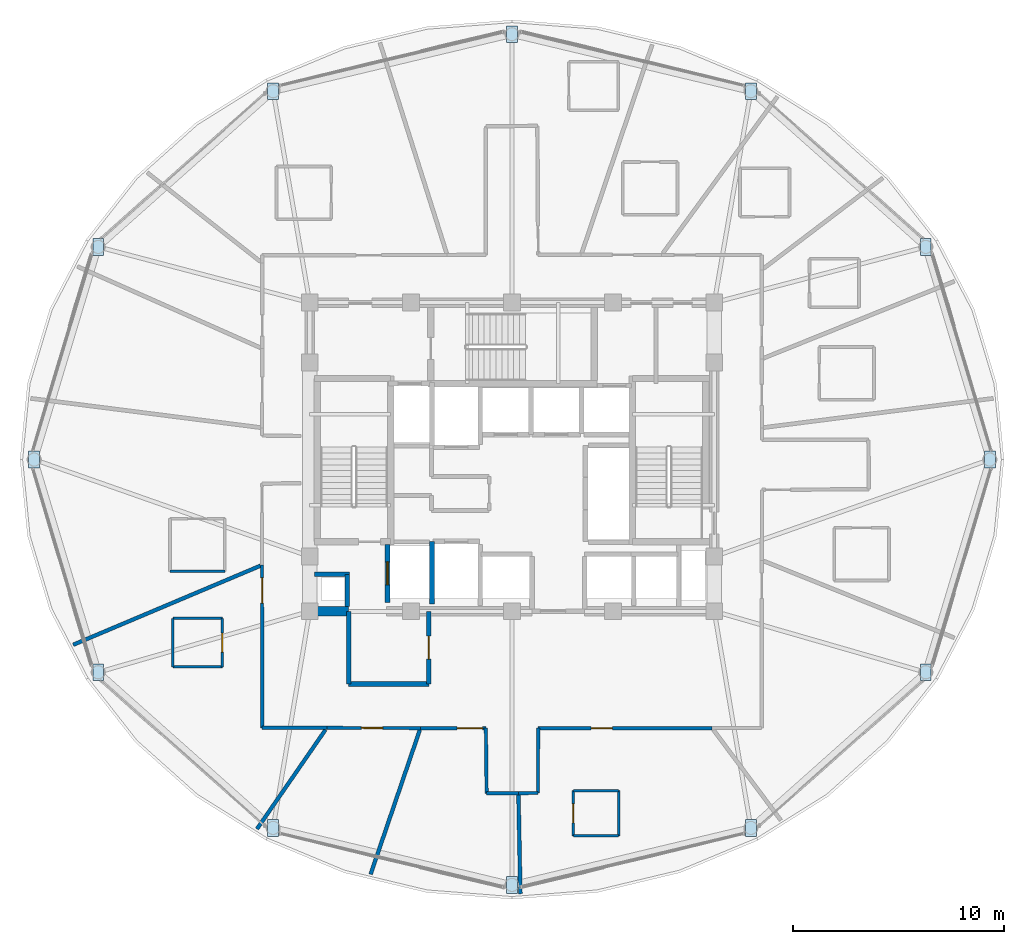
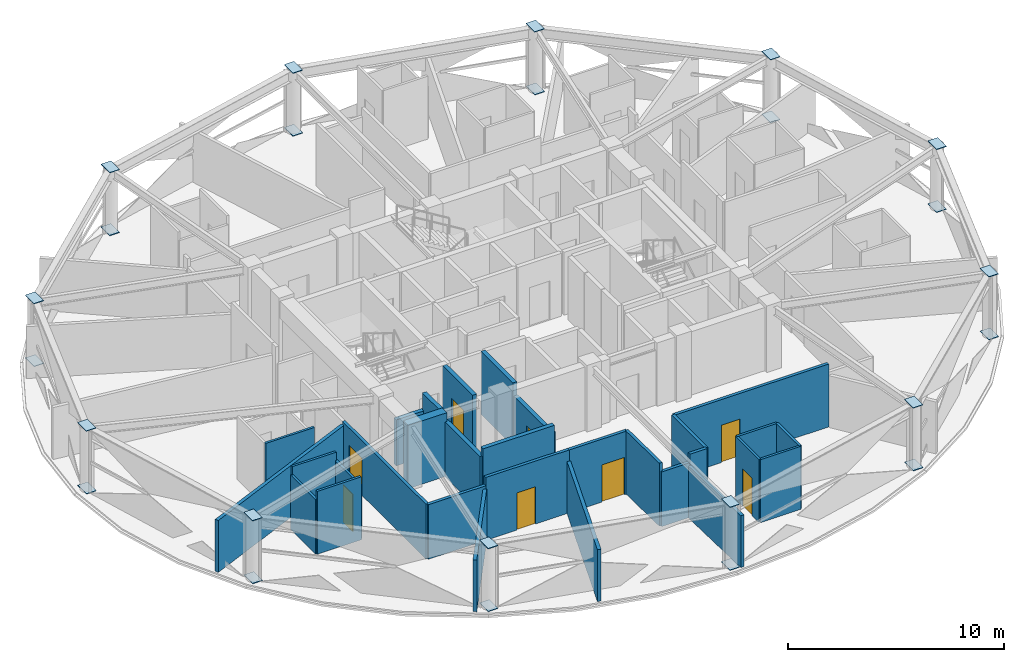
# One storey, part 22 of 30: 30 walls, 24 plates, 8 doors, 8 openings.
"""IFC4 building model written with IfcOpenShell, lengths in metres."""

from ifc_helpers import new_model, si_unit, direction, frame, frame_2d, origin, place, context, subcontext, project, spatial, polyline, rectangle, outline, extrude, material, layer, layer_set, type_object, element, fill, save


model = new_model("IFC4")

# Units and contexts
model_context = context("Model", 3, precision=1e-05, world=origin(), true_north=direction((0.0, 1.0)))
body_context = subcontext(model_context, "Body", "Model", "MODEL_VIEW")
ifc_project = project(units=[si_unit("LENGTHUNIT", "METRE"), si_unit("AREAUNIT", "SQUARE_METRE"), si_unit("VOLUMEUNIT", "CUBIC_METRE"), si_unit("PLANEANGLEUNIT", "RADIAN"), si_unit("MASSUNIT", "GRAM", prefix="KILO")], contexts=[model_context])

# Site, building, storey
site_placement = place(None, origin())
site = spatial("IfcSite", under=ifc_project, at=site_placement, CompositionType="ELEMENT")
building_placement = place(site_placement, origin())
building = spatial("IfcBuilding", under=site, at=building_placement, Name="Vantalir Tower", CompositionType="ELEMENT")
storey_placement = place(building_placement, frame((0.0, 0.0, 186.14990234375)))
storey = spatial("IfcBuildingStorey", under=building, at=storey_placement, Name="L46", CompositionType="ELEMENT", Elevation=186.14990234375)

# Plates
ifc_material_1 = material(Name="Steel S460", Category="steel")
ifc_layer_1 = layer(ifc_material_1, 0.031982421875)
ifc_layer_set_1 = layer_set([ifc_layer_1], Name="Steel S460")
plate_type = type_object("IfcPlateType", Name="PLT-KN-Z3", PredefinedType="USERDEFINED", material=ifc_layer_set_1)
for number, where, z_axis, x_axis, name in (
    (1, (53.916015625, 25.39990234375, 3.593994140625), (0.0, 0.0, 1.0), (0.0, -1.0, 0.0), "L46 Ring Column Top Cap RC01"),
    (2, (53.916015625, 25.39990234375, 0.052978515625), (0.0, 0.0, 1.0), (0.0, -1.0, 0.0), "L46 Ring Column Base Cap RC01"),
    (3, (50.8779296875, 35.493896484375, 3.593994140625), (0.0, 0.0, 1.0), (0.0, -1.0, 0.0), "L46 Ring Column Top Cap RC02"),
    (4, (50.8779296875, 35.493896484375, 0.052978515625), (0.0, 0.0, 1.0), (0.0, -1.0, 0.0), "L46 Ring Column Base Cap RC02"),
):
    element("IfcPlate", number, at=place(storey_placement, frame(where, z_axis=z_axis, x_axis=x_axis)), inside=storey, type_object=plate_type, Name=name, ObjectType="FLANGE_PLATE", PredefinedType="USERDEFINED", context=body_context, shape_type="SweptSolid", body=[
        extrude(outline(polyline([(0.0, 0.0), (0.7998046875, 0.0), (0.7998046875, 0.52001953125), (0.0, 0.52001953125), (0.0, 0.0)])), origin(), (0.0, 0.0, -1.0), 0.031982421875),
    ])
for number, where, z_axis, x_axis, name in (
    (5, (42.577880859375, 42.883056640625, 3.593994140625), (0.0, 0.0, 1.0), (0.0, -1.0, 0.0), "L46 Ring Column Top Cap RC03"),
    (6, (42.577880859375, 42.883056640625, 0.052978515625), (0.0, 0.0, 1.0), (0.0, -1.0, 0.0), "L46 Ring Column Base Cap RC03"),
):
    element("IfcPlate", number, at=place(storey_placement, frame(where, z_axis=z_axis, x_axis=x_axis)), inside=storey, type_object=plate_type, Name=name, ObjectType="FLANGE_PLATE", PredefinedType="USERDEFINED", context=body_context, shape_type="SweptSolid", body=[
        extrude(outline(polyline([(0.0, 0.0), (0.800048828125, 0.0), (0.800048828125, 0.52001953125), (0.0, 0.52001953125), (0.0, 0.0)])), origin(), (0.0, 0.0, -1.0), 0.031982421875),
    ])
for number, where, z_axis, x_axis, name in (
    (7, (31.239990234375, 45.587890625, 3.593994140625), (0.0, 0.0, 1.0), (0.0, -1.0, 0.0), "L46 Ring Column Top Cap RC04"),
    (8, (31.239990234375, 45.587890625, 0.052978515625), (0.0, 0.0, 1.0), (0.0, -1.0, 0.0), "L46 Ring Column Base Cap RC04"),
):
    element("IfcPlate", number, at=place(storey_placement, frame(where, z_axis=z_axis, x_axis=x_axis)), inside=storey, type_object=plate_type, Name=name, ObjectType="FLANGE_PLATE", PredefinedType="USERDEFINED", context=body_context, shape_type="SweptSolid", body=[
        extrude(outline(polyline([(0.0, 0.0), (0.7998046875, 0.0), (0.7998046875, 0.52001953125), (0.0, 0.52001953125), (0.0, 0.0)])), origin(), (0.0, 0.0, -1.0), 0.031982421875),
    ])
for number, where, z_axis, x_axis, name in (
    (9, (19.902099609375, 42.883056640625, 3.593994140625), (0.0, 0.0, 1.0), (0.0, -1.0, 0.0), "L46 Ring Column Top Cap RC05"),
    (10, (19.902099609375, 42.883056640625, 0.052978515625), (0.0, 0.0, 1.0), (0.0, -1.0, 0.0), "L46 Ring Column Base Cap RC05"),
):
    element("IfcPlate", number, at=place(storey_placement, frame(where, z_axis=z_axis, x_axis=x_axis)), inside=storey, type_object=plate_type, Name=name, ObjectType="FLANGE_PLATE", PredefinedType="USERDEFINED", context=body_context, shape_type="SweptSolid", body=[
        extrude(outline(polyline([(0.0, 0.0), (0.800048828125, 0.0), (0.800048828125, 0.52001953125), (0.0, 0.52001953125), (0.0, 0.0)])), origin(), (0.0, 0.0, -1.0), 0.031982421875),
    ])
for number, where, z_axis, x_axis, name in (
    (11, (11.60205078125, 35.493896484375, 3.593994140625), (0.0, 0.0, 1.0), (0.0, -1.0, 0.0), "L46 Ring Column Top Cap RC06"),
    (12, (11.60205078125, 35.493896484375, 0.052978515625), (0.0, 0.0, 1.0), (0.0, -1.0, 0.0), "L46 Ring Column Base Cap RC06"),
    (13, (8.56396484375, 25.39990234375, 3.593994140625), (0.0, 0.0, 1.0), (0.0, -1.0, 0.0), "L46 Ring Column Top Cap RC07"),
    (14, (8.56396484375, 25.39990234375, 0.052978515625), (0.0, 0.0, 1.0), (0.0, -1.0, 0.0), "L46 Ring Column Base Cap RC07"),
    (15, (11.60205078125, 15.305908203125, 3.593994140625), (0.0, 0.0, 1.0), (0.0, -1.0, 0.0), "L46 Ring Column Top Cap RC08"),
    (16, (11.60205078125, 15.305908203125, 0.052978515625), (0.0, 0.0, 1.0), (0.0, -1.0, 0.0), "L46 Ring Column Base Cap RC08"),
):
    element("IfcPlate", number, at=place(storey_placement, frame(where, z_axis=z_axis, x_axis=x_axis)), inside=storey, type_object=plate_type, Name=name, ObjectType="FLANGE_PLATE", PredefinedType="USERDEFINED", context=body_context, shape_type="SweptSolid", body=[
        extrude(outline(polyline([(0.0, 0.0), (0.7998046875, 0.0), (0.7998046875, 0.52001953125), (0.0, 0.52001953125), (0.0, 0.0)])), origin(), (0.0, 0.0, -1.0), 0.031982421875),
    ])
for number, where, z_axis, x_axis, name in (
    (17, (19.902099609375, 7.9169921875, 3.593994140625), (0.0, 0.0, 1.0), (0.0, -1.0, 0.0), "L46 Ring Column Top Cap RC09"),
    (18, (19.902099609375, 7.9169921875, 0.052978515625), (0.0, 0.0, 1.0), (0.0, -1.0, 0.0), "L46 Ring Column Base Cap RC09"),
):
    element("IfcPlate", number, at=place(storey_placement, frame(where, z_axis=z_axis, x_axis=x_axis)), inside=storey, type_object=plate_type, Name=name, ObjectType="FLANGE_PLATE", PredefinedType="USERDEFINED", context=body_context, shape_type="SweptSolid", body=[
        extrude(outline(polyline([(0.0, 0.0), (0.800048828125, 0.0), (0.800048828125, 0.52001953125), (0.0, 0.52001953125), (0.0, 0.0)])), origin(), (0.0, 0.0, -1.0), 0.031982421875),
    ])
for number, where, z_axis, x_axis, name in (
    (19, (31.239990234375, 5.2119140625, 3.593994140625), (0.0, 0.0, 1.0), (0.0, -1.0, 0.0), "L46 Ring Column Top Cap RC10"),
    (20, (31.239990234375, 5.2119140625, 0.052978515625), (0.0, 0.0, 1.0), (0.0, -1.0, 0.0), "L46 Ring Column Base Cap RC10"),
):
    element("IfcPlate", number, at=place(storey_placement, frame(where, z_axis=z_axis, x_axis=x_axis)), inside=storey, type_object=plate_type, Name=name, ObjectType="FLANGE_PLATE", PredefinedType="USERDEFINED", context=body_context, shape_type="SweptSolid", body=[
        extrude(outline(polyline([(0.0, 0.0), (0.7998046875, 0.0), (0.7998046875, 0.52001953125), (0.0, 0.52001953125), (0.0, 0.0)])), origin(), (0.0, 0.0, -1.0), 0.031982421875),
    ])
for number, where, z_axis, x_axis, name in (
    (21, (42.577880859375, 7.9169921875, 3.593994140625), (0.0, 0.0, 1.0), (0.0, -1.0, 0.0), "L46 Ring Column Top Cap RC11"),
    (22, (42.577880859375, 7.9169921875, 0.052978515625), (0.0, 0.0, 1.0), (0.0, -1.0, 0.0), "L46 Ring Column Base Cap RC11"),
):
    element("IfcPlate", number, at=place(storey_placement, frame(where, z_axis=z_axis, x_axis=x_axis)), inside=storey, type_object=plate_type, Name=name, ObjectType="FLANGE_PLATE", PredefinedType="USERDEFINED", context=body_context, shape_type="SweptSolid", body=[
        extrude(outline(polyline([(0.0, 0.0), (0.800048828125, 0.0), (0.800048828125, 0.52001953125), (0.0, 0.52001953125), (0.0, 0.0)])), origin(), (0.0, 0.0, -1.0), 0.031982421875),
    ])
for number, where, z_axis, x_axis, name in (
    (23, (50.8779296875, 15.305908203125, 3.593994140625), (0.0, 0.0, 1.0), (0.0, -1.0, 0.0), "L46 Ring Column Top Cap RC12"),
    (24, (50.8779296875, 15.305908203125, 0.052978515625), (0.0, 0.0, 1.0), (0.0, -1.0, 0.0), "L46 Ring Column Base Cap RC12"),
):
    element("IfcPlate", number, at=place(storey_placement, frame(where, z_axis=z_axis, x_axis=x_axis)), inside=storey, type_object=plate_type, Name=name, ObjectType="FLANGE_PLATE", PredefinedType="USERDEFINED", context=body_context, shape_type="SweptSolid", body=[
        extrude(outline(polyline([(0.0, 0.0), (0.7998046875, 0.0), (0.7998046875, 0.52001953125), (0.0, 0.52001953125), (0.0, 0.0)])), origin(), (0.0, 0.0, -1.0), 0.031982421875),
    ])

# Walls
ifc_material_2 = material(Name="Moisture-resistant en-suite partition", Category="gypsum")
ifc_layer_2 = layer(ifc_material_2, 0.125)
ifc_layer_set_2 = layer_set([ifc_layer_2], Name="Moisture-resistant en-suite partition")
wall_type_1 = type_object("IfcWallType", Name="WL-BATH-125", PredefinedType="PARTITIONING", material=ifc_layer_set_2)
wall_1_placement = place(storey_placement, frame((15.26806640625, 19.697021484375, 0.0), z_axis=(0.0, 0.0, 1.0), x_axis=(1.0, 0.0, 0.0)))
element("IfcWall", 25, at=wall_1_placement, inside=storey, type_object=wall_type_1, Name="L46 En-suite 09 South Wall", PredefinedType="PARTITIONING", context=body_context, shape_type="SweptSolid", body=[
    extrude(rectangle(XDim=2.599853515625, YDim=0.125, at=frame_2d((1.2998046875, 0.0))), origin(), (0.0, 0.0, 1.0), 3.550048828125),
])
for number, where, z_axis, x_axis, name in (
    (26, (15.39892578125, 15.1669921875, 0.0), (0.0, 0.0, 1.0), (1.0, 0.0, 0.0), "L46 En-suite 10 South Wall"),
    (27, (15.39892578125, 17.467041015625, 0.0), (0.0, 0.0, 1.0), (1.0, 0.0, 0.0), "L46 En-suite 10 North Wall"),
):
    element("IfcWall", number, at=place(storey_placement, frame(where, z_axis=z_axis, x_axis=x_axis)), inside=storey, type_object=wall_type_1, Name=name, PredefinedType="PARTITIONING", context=body_context, shape_type="SweptSolid", body=[
        extrude(rectangle(XDim=2.35009765625, YDim=0.125, at=frame_2d((1.175048828125, 0.0))), origin(), (0.0, 0.0, 1.0), 3.550048828125),
    ])
wall_2_placement = place(storey_placement, frame((15.39892578125, 15.1669921875, 0.0), z_axis=(0.0, 0.0, 1.0), x_axis=(0.0, 1.0, 0.0)))
element("IfcWall", 28, at=wall_2_placement, inside=storey, type_object=wall_type_1, Name="L46 En-suite 10 West Wall", PredefinedType="PARTITIONING", context=body_context, shape_type="SweptSolid", body=[
    extrude(rectangle(XDim=2.300048828125, YDim=0.125, at=frame_2d((1.14990234375, 0.0))), origin(), (0.0, 0.0, 1.0), 3.0810546875),
])

# Wall, opening, door
wall_3_placement = place(storey_placement, frame((17.7490234375, 15.1669921875, 0.0), z_axis=(0.0, 0.0, 1.0), x_axis=(0.0, 1.0, 0.0)))
wall_3 = element("IfcWall", 29, at=wall_3_placement, inside=storey, type_object=wall_type_1, Name="L46 En-suite 10 East Wall", PredefinedType="PARTITIONING", context=body_context, shape_type="SweptSolid", body=[
    extrude(rectangle(XDim=2.300048828125, YDim=0.125, at=frame_2d((1.14990234375, 0.0))), origin(), (0.0, 0.0, 1.0), 3.0810546875),
])
opening_1_placement = place(wall_3_placement, frame((0.699951171875, 0.0, 0.0)))
opening_1 = element("IfcOpeningElement", 30, at=opening_1_placement, cuts=wall_3, Name="Opening D-WC", PredefinedType="OPENING", context=body_context, shape_type="SweptSolid", body=[
    extrude(rectangle(XDim=0.89990234375, YDim=2.10009765625, at=frame_2d((0.449951171875, 1.050048828125))), frame((0.0, 0.072509765625, 0.0), z_axis=(0.0, -1.0, 0.0), x_axis=(1.0, 0.0, 0.0)), (0.0, 0.0, 1.0), 0.14501953125),
])
ifc_material_3 = material(Name="Moisture-resistant hardwood door", Category="wood")
door_type_1 = type_object("IfcDoorType", Name="DR-ENSUITE-900", OperationType="NOTDEFINED", PredefinedType="DOOR", material=ifc_material_3)
door_1_placement = place(opening_1_placement, origin())
door_1 = element("IfcDoor", 31, at=door_1_placement, inside=storey, type_object=door_type_1, Name="L46 En-suite 10 Door", OperationType="SINGLE_SWING_LEFT", OverallHeight=2.10009765625, OverallWidth=0.89990234375, PredefinedType="DOOR", context=body_context, shape_type="SweptSolid", body=[
    extrude(rectangle(XDim=0.89990234375, YDim=2.10009765625, at=frame_2d((0.449951171875, 1.050048828125))), frame((0.0, 0.02490234375, 0.0), z_axis=(0.0, -1.0, 0.0), x_axis=(1.0, 0.0, 0.0)), (0.0, 0.0, 1.0), 0.050048828125),
])
fill(opening_1, door_1)

# Walls
for number, where, z_axis, x_axis, name in (
    (32, (34.4150390625, 7.137939453125, 0.0), (0.0, 0.0, 1.0), (1.0, 0.0, 0.0), "L46 En-suite 13 South Wall"),
    (33, (34.4150390625, 9.2880859375, 0.0), (0.0, 0.0, 1.0), (1.0, 0.0, 0.0), "L46 En-suite 13 North Wall"),
):
    element("IfcWall", number, at=place(storey_placement, frame(where, z_axis=z_axis, x_axis=x_axis)), inside=storey, type_object=wall_type_1, Name=name, PredefinedType="PARTITIONING", context=body_context, shape_type="SweptSolid", body=[
        extrude(rectangle(XDim=2.14990234375, YDim=0.125, at=frame_2d((1.074951171875, 0.0))), origin(), (0.0, 0.0, 1.0), 3.550048828125),
    ])

# Wall, opening, door
wall_4_placement = place(storey_placement, frame((34.4150390625, 7.137939453125, 0.0), z_axis=(0.0, 0.0, 1.0), x_axis=(0.0, 1.0, 0.0)))
wall_4 = element("IfcWall", 34, at=wall_4_placement, inside=storey, type_object=wall_type_1, Name="L46 En-suite 13 West Wall", PredefinedType="PARTITIONING", context=body_context, shape_type="SweptSolid", body=[
    extrude(rectangle(XDim=2.150146484375, YDim=0.125, at=frame_2d((1.0751953125, 0.0))), origin(), (0.0, 0.0, 1.0), 3.550048828125),
])
opening_2_placement = place(wall_4_placement, frame((0.625, 0.0, 0.0)))
opening_2 = element("IfcOpeningElement", 35, at=opening_2_placement, cuts=wall_4, Name="Opening D-WC", PredefinedType="OPENING", context=body_context, shape_type="SweptSolid", body=[
    extrude(rectangle(XDim=0.89990234375, YDim=2.10009765625, at=frame_2d((0.449951171875, 1.050048828125))), frame((0.0, 0.072509765625, 0.0), z_axis=(0.0, -1.0, 0.0), x_axis=(1.0, 0.0, 0.0)), (0.0, 0.0, 1.0), 0.14501953125),
])
door_2_placement = place(opening_2_placement, frame((0.89990234375, 0.0, 0.0), z_axis=(0.0, 0.0, 1.0), x_axis=(-1.0, 0.0, 0.0)))
door_2 = element("IfcDoor", 36, at=door_2_placement, inside=storey, type_object=door_type_1, Name="L46 En-suite 13 Door", OperationType="SINGLE_SWING_RIGHT", OverallHeight=2.10009765625, OverallWidth=0.89990234375, PredefinedType="DOOR", context=body_context, shape_type="SweptSolid", body=[
    extrude(rectangle(XDim=0.89990234375, YDim=2.10009765625, at=frame_2d((0.449951171875, 1.050048828125))), frame((0.0, 0.02490234375, 0.0), z_axis=(0.0, -1.0, 0.0), x_axis=(1.0, 0.0, 0.0)), (0.0, 0.0, 1.0), 0.050048828125),
])
fill(opening_2, door_2)

# Walls
wall_5_placement = place(storey_placement, frame((36.56494140625, 7.137939453125, 0.0), z_axis=(0.0, 0.0, 1.0), x_axis=(0.0, 1.0, 0.0)))
element("IfcWall", 37, at=wall_5_placement, inside=storey, type_object=wall_type_1, Name="L46 En-suite 13 East Wall", PredefinedType="PARTITIONING", context=body_context, shape_type="SweptSolid", body=[
    extrude(rectangle(XDim=2.150146484375, YDim=0.125, at=frame_2d((1.0751953125, 0.0))), origin(), (0.0, 0.0, 1.0), 3.550048828125),
])
ifc_material_4 = material(Name="Concrete C50/60", Category="concrete")
ifc_layer_3 = layer(ifc_material_4, 0.449951171875)
ifc_layer_set_3 = layer_set([ifc_layer_3], Name="Concrete C50/60")
wall_type_2 = type_object("IfcWallType", Name="WL-CORE-450", PredefinedType="SHEAR", material=ifc_layer_set_3)
wall_6_placement = place(storey_placement, frame((21.675048828125, 17.800048828125, 0.0), z_axis=(0.0, 0.0, 1.0), x_axis=(1.0, 0.0, 0.0)))
element("IfcWall", 38, at=wall_6_placement, inside=storey, type_object=wall_type_2, Name="L46 Core Shear Wall South-West", PredefinedType="SHEAR", context=body_context, shape_type="SweptSolid", body=[
    extrude(rectangle(XDim=2.074951171875, YDim=0.449951171875, at=frame_2d((1.03759765625, 0.0))), origin(), (0.0, 0.0, 1.0), 3.570068359375),
])

# Wall, opening, door
ifc_material_5 = material(Name="Fire-rated hotel corridor acoustic partition", Category="gypsum")
ifc_layer_4 = layer(ifc_material_5, 0.159912109375)
ifc_layer_set_4 = layer_set([ifc_layer_4], Name="Fire-rated hotel corridor acoustic partition")
wall_type_3 = type_object("IfcWallType", Name="WL-CORR-160", PredefinedType="PARTITIONING", material=ifc_layer_set_4)
wall_7_placement = place(storey_placement, frame((40.99609375, 12.257080078125, 0.0), z_axis=(0.0, 0.0, 1.0), x_axis=(-0.999999632298, -0.000857556535, 0.0)))
wall_7 = element("IfcWall", 39, at=wall_7_placement, inside=storey, type_object=wall_type_3, Name="L46 Corridor Partition 24", PredefinedType="PARTITIONING", context=body_context, shape_type="SweptSolid", body=[
    extrude(rectangle(XDim=8.256103515625, YDim=0.159912109375, at=frame_2d((4.1279296875, 0.0))), origin(), (0.0, 0.0, 1.0), 3.550048828125),
])
opening_3_placement = place(wall_7_placement, frame((4.735107421875, 0.0, 0.0)))
opening_3 = element("IfcOpeningElement", 40, at=opening_3_placement, cuts=wall_7, Name="Opening D-GUEST", PredefinedType="OPENING", context=body_context, shape_type="SweptSolid", body=[
    extrude(rectangle(XDim=1.0, YDim=2.10009765625, at=frame_2d((0.5, 1.050048828125))), frame((0.0, 0.08984375, 0.0), z_axis=(0.0, -1.0, 0.0), x_axis=(1.0, 0.0, 0.0)), (0.0, 0.0, 1.0), 0.179931640625),
])
ifc_material_6 = material(Name="Solid-core teak veneer acoustic fire door", Category="wood")
door_type_2 = type_object("IfcDoorType", Name="DR-GUEST-ENTRY-1000", OperationType="NOTDEFINED", PredefinedType="DOOR", material=ifc_material_6)
door_3_placement = place(opening_3_placement, origin())
door_3 = element("IfcDoor", 41, at=door_3_placement, inside=storey, type_object=door_type_2, Name="L46 Twin Queen Hotel Room 13 Door", OperationType="SINGLE_SWING_RIGHT", OverallHeight=2.10009765625, OverallWidth=1.0, PredefinedType="DOOR", context=body_context, shape_type="SweptSolid", body=[
    extrude(rectangle(XDim=1.0, YDim=2.10009765625, at=frame_2d((0.5, 1.050048828125))), frame((0.0, 0.02490234375, 0.0), z_axis=(0.0, -1.0, 0.0), x_axis=(1.0, 0.0, 0.0)), (0.0, 0.0, 1.0), 0.050048828125),
])
fill(opening_3, door_3)

# Walls
wall_8_placement = place(storey_placement, frame((32.739990234375, 12.25, 0.0), z_axis=(0.0, 0.0, 1.0), x_axis=(-0.002937661004, -0.999995685065, 0.0)))
element("IfcWall", 42, at=wall_8_placement, inside=storey, type_object=wall_type_3, Name="L46 Corridor Partition 25", PredefinedType="PARTITIONING", context=body_context, shape_type="SweptSolid", body=[
    extrude(rectangle(XDim=3.074951171875, YDim=0.159912109375, at=frame_2d((1.53759765625, 0.0))), origin(), (0.0, 0.0, 1.0), 3.550048828125),
])
wall_9_placement = place(storey_placement, frame((32.73095703125, 9.175048828125, 0.0), z_axis=(0.0, 0.0, 1.0), x_axis=(-0.999978279482, -0.006590945686, 0.0)))
element("IfcWall", 43, at=wall_9_placement, inside=storey, type_object=wall_type_3, Name="L46 Corridor Partition 26", PredefinedType="PARTITIONING", context=body_context, shape_type="SweptSolid", body=[
    extrude(rectangle(XDim=0.926025390625, YDim=0.159912109375, at=frame_2d((0.462890625, 0.0))), origin(), (0.0, 0.0, 1.0), 3.550048828125),
])
wall_10_placement = place(storey_placement, frame((31.804931640625, 9.1689453125, 0.0), z_axis=(0.0, 0.0, 1.0), x_axis=(-0.999982083866, -0.005985979146, 0.0)))
element("IfcWall", 44, at=wall_10_placement, inside=storey, type_object=wall_type_3, Name="L46 Corridor Partition 27", PredefinedType="PARTITIONING", context=body_context, shape_type="SweptSolid", body=[
    extrude(rectangle(XDim=1.509033203125, YDim=0.159912109375, at=frame_2d((0.75439453125, 0.0))), origin(), (0.0, 0.0, 1.0), 3.0810546875),
])
wall_11_placement = place(storey_placement, frame((30.2958984375, 9.159912109375, 0.0), z_axis=(0.0, 0.0, 1.0), x_axis=(-0.011613343347, 0.999932562854, 0.0)))
element("IfcWall", 45, at=wall_11_placement, inside=storey, type_object=wall_type_3, Name="L46 Corridor Partition 28", PredefinedType="PARTITIONING", context=body_context, shape_type="SweptSolid", body=[
    extrude(rectangle(XDim=3.09033203125, YDim=0.159912109375, at=frame_2d((1.545166015625, 0.0))), origin(), (0.0, 0.0, 1.0), 3.550048828125),
])

# Wall, opening, door
wall_12_placement = place(storey_placement, frame((30.260009765625, 12.25, 0.0), z_axis=(0.0, 0.0, 1.0), x_axis=(-0.999998067982, 0.001965714082, 0.0)))
wall_12 = element("IfcWall", 46, at=wall_12_placement, inside=storey, type_object=wall_type_3, Name="L46 Corridor Partition 29", PredefinedType="PARTITIONING", context=body_context, shape_type="SweptSolid", body=[
    extrude(rectangle(XDim=3.10498046875, YDim=0.159912109375, at=frame_2d((1.552490234375, 0.0))), origin(), (0.0, 0.0, 1.0), 3.550048828125),
])
opening_4_placement = place(wall_12_placement, frame((0.159912109375, 0.0, 0.0)))
opening_4 = element("IfcOpeningElement", 47, at=opening_4_placement, cuts=wall_12, Name="Opening D-STE", PredefinedType="OPENING", context=body_context, shape_type="SweptSolid", body=[
    extrude(rectangle(XDim=1.199951171875, YDim=2.10009765625, at=frame_2d((0.60009765625, 1.050048828125))), frame((0.0, 0.08984375, 0.0), z_axis=(0.0, -1.0, 0.0), x_axis=(1.0, 0.0, 0.0)), (0.0, 0.0, 1.0), 0.179931640625),
])
ifc_material_7 = material(Name="Solid-core teak veneer suite entrance door", Category="wood")
door_type_3 = type_object("IfcDoorType", Name="DR-SUITE-ENTRY-1200", OperationType="NOTDEFINED", PredefinedType="DOOR", material=ifc_material_7)
door_4_placement = place(opening_4_placement, origin())
door_4 = element("IfcDoor", 48, at=door_4_placement, inside=storey, type_object=door_type_3, Name="L46 Executive Sky Boardroom 12 Door", OperationType="SINGLE_SWING_LEFT", OverallHeight=2.10009765625, OverallWidth=1.199951171875, PredefinedType="DOOR", context=body_context, shape_type="SweptSolid", body=[
    extrude(rectangle(XDim=1.199951171875, YDim=2.10009765625, at=frame_2d((0.60009765625, 1.050048828125))), frame((0.0, 0.02490234375, 0.0), z_axis=(0.0, -1.0, 0.0), x_axis=(1.0, 0.0, 0.0)), (0.0, 0.0, 1.0), 0.050048828125),
])
fill(opening_4, door_4)

wall_13_placement = place(storey_placement, frame((27.155029296875, 12.256103515625, 0.0), z_axis=(0.0, 0.0, 1.0), x_axis=(-0.999998046941, 0.001976389223, 0.0)))
wall_13 = element("IfcWall", 49, at=wall_13_placement, inside=storey, type_object=wall_type_3, Name="L46 Corridor Partition 30", PredefinedType="PARTITIONING", context=body_context, shape_type="SweptSolid", body=[
    extrude(rectangle(XDim=4.447021484375, YDim=0.159912109375, at=frame_2d((2.2236328125, 0.0))), origin(), (0.0, 0.0, 1.0), 3.550048828125),
])
opening_5_placement = place(wall_13_placement, frame((1.798095703125, 0.0, 0.0)))
opening_5 = element("IfcOpeningElement", 50, at=opening_5_placement, cuts=wall_13, Name="Opening D-GUEST", PredefinedType="OPENING", context=body_context, shape_type="SweptSolid", body=[
    extrude(rectangle(XDim=1.0, YDim=2.10009765625, at=frame_2d((0.5, 1.050048828125))), frame((0.0, 0.08984375, 0.0), z_axis=(0.0, -1.0, 0.0), x_axis=(1.0, 0.0, 0.0)), (0.0, 0.0, 1.0), 0.179931640625),
])
door_5_placement = place(opening_5_placement, origin())
door_5 = element("IfcDoor", 51, at=door_5_placement, inside=storey, type_object=door_type_2, Name="L46 Executive Business Study 11 Door", OperationType="SINGLE_SWING_RIGHT", OverallHeight=2.10009765625, OverallWidth=1.0, PredefinedType="DOOR", context=body_context, shape_type="SweptSolid", body=[
    extrude(rectangle(XDim=1.0, YDim=2.10009765625, at=frame_2d((0.5, 1.050048828125))), frame((0.0, 0.02490234375, 0.0), z_axis=(0.0, -1.0, 0.0), x_axis=(1.0, 0.0, 0.0)), (0.0, 0.0, 1.0), 0.050048828125),
])
fill(opening_5, door_5)

# Wall
wall_14_placement = place(storey_placement, frame((22.7080078125, 12.264892578125, 0.0), z_axis=(0.0, 0.0, 1.0), x_axis=(-0.999998021275, 0.001989333217, 0.0)))
element("IfcWall", 52, at=wall_14_placement, inside=storey, type_object=wall_type_3, Name="L46 Corridor Partition 31", PredefinedType="PARTITIONING", context=body_context, shape_type="SweptSolid", body=[
    extrude(rectangle(XDim=3.068115234375, YDim=0.159912109375, at=frame_2d((1.5341796875, 0.0))), origin(), (0.0, 0.0, 1.0), 3.0810546875),
])

# Wall, opening, door
wall_15_placement = place(storey_placement, frame((19.639892578125, 12.27099609375, 0.0), z_axis=(0.0, 0.0, 1.0), x_axis=(-0.000379398626, 0.999999928028, 0.0)))
wall_15 = element("IfcWall", 53, at=wall_15_placement, inside=storey, type_object=wall_type_3, Name="L46 Corridor Partition 32", PredefinedType="PARTITIONING", context=body_context, shape_type="SweptSolid", body=[
    extrude(rectangle(XDim=7.721923828125, YDim=0.159912109375, at=frame_2d((3.86083984375, 0.0))), origin(), (0.0, 0.0, 1.0), 3.0810546875),
])
opening_6_placement = place(wall_15_placement, frame((5.9189453125, 0.0, 0.0)))
opening_6 = element("IfcOpeningElement", 54, at=opening_6_placement, cuts=wall_15, Name="Opening D-STE", PredefinedType="OPENING", context=body_context, shape_type="SweptSolid", body=[
    extrude(rectangle(XDim=1.199951171875, YDim=2.10009765625, at=frame_2d((0.60009765625, 1.050048828125))), frame((0.0, 0.08984375, 0.0), z_axis=(0.0, -1.0, 0.0), x_axis=(1.0, 0.0, 0.0)), (0.0, 0.0, 1.0), 0.179931640625),
])
door_6_placement = place(opening_6_placement, origin())
door_6 = element("IfcDoor", 55, at=door_6_placement, inside=storey, type_object=door_type_3, Name="L46 Corner Panorama Hotel Suite 10 Door", OperationType="SINGLE_SWING_LEFT", OverallHeight=2.10009765625, OverallWidth=1.199951171875, PredefinedType="DOOR", context=body_context, shape_type="SweptSolid", body=[
    extrude(rectangle(XDim=1.199951171875, YDim=2.10009765625, at=frame_2d((0.60009765625, 1.050048828125))), frame((0.0, 0.02490234375, 0.0), z_axis=(0.0, -1.0, 0.0), x_axis=(1.0, 0.0, 0.0)), (0.0, 0.0, 1.0), 0.050048828125),
])
fill(opening_6, door_6)

# Walls
ifc_material_8 = material(Name="Concrete blockwork with fireboard lining", Category="masonry")
ifc_layer_5 = layer(ifc_material_8, 0.219970703125)
ifc_layer_set_5 = layer_set([ifc_layer_5], Name="Concrete blockwork with fireboard lining")
wall_type_4 = type_object("IfcWallType", Name="WL-FFL-220", PredefinedType="PARTITIONING", material=ifc_layer_set_5)
wall_16_placement = place(storey_placement, frame((23.679931640625, 18.02490234375, 0.0), z_axis=(0.0, 0.0, 1.0), x_axis=(0.0, 1.0, 0.0)))
element("IfcWall", 56, at=wall_16_placement, inside=storey, type_object=wall_type_4, Name="L46 West MEP Riser Wall E", PredefinedType="PARTITIONING", context=body_context, shape_type="SweptSolid", body=[
    extrude(rectangle(XDim=1.525146484375, YDim=0.219970703125, at=frame_2d((0.7626953125, 0.0))), origin(), (0.0, 0.0, 1.0), 3.550048828125),
])
wall_17_placement = place(storey_placement, frame((22.125, 19.550048828125, 0.0), z_axis=(0.0, 0.0, 1.0), x_axis=(1.0, 0.0, 0.0)))
element("IfcWall", 57, at=wall_17_placement, inside=storey, type_object=wall_type_4, Name="L46 West MEP Riser Wall N", PredefinedType="PARTITIONING", context=body_context, shape_type="SweptSolid", body=[
    extrude(rectangle(XDim=1.6650390625, YDim=0.219970703125, at=frame_2d((0.83251953125, 0.0))), origin(), (0.0, 0.0, 1.0), 2.59521484375),
])

# Wall, opening, door
wall_18_placement = place(storey_placement, frame((25.590087890625, 18.219970703125, 0.0), z_axis=(0.0, 0.0, 1.0), x_axis=(0.0, 1.0, 0.0)))
wall_18 = element("IfcWall", 58, at=wall_18_placement, inside=storey, type_object=wall_type_4, Name="L46 Lift FL1 Shaft Front Wall", PredefinedType="PARTITIONING", context=body_context, shape_type="SweptSolid", body=[
    extrude(rectangle(XDim=2.760009765625, YDim=0.219970703125, at=frame_2d((1.3798828125, 0.0))), origin(), (0.0, 0.0, 1.0), 3.550048828125),
])
opening_7_placement = place(wall_18_placement, frame((0.830078125, 0.0, 0.0)))
opening_7 = element("IfcOpeningElement", 59, at=opening_7_placement, cuts=wall_18, Name="Opening LD-FL1", PredefinedType="OPENING", context=body_context, shape_type="SweptSolid", body=[
    extrude(rectangle(XDim=1.10009765625, YDim=2.199951171875, at=frame_2d((0.550048828125, 1.10009765625))), frame((0.0, 0.119873046875, 0.0), z_axis=(0.0, -1.0, 0.0), x_axis=(1.0, 0.0, 0.0)), (0.0, 0.0, 1.0), 0.239990234375),
])
ifc_material_9 = material(Name="Brushed stainless-steel sliding lift landing door", Category="steel")
door_type_4 = type_object("IfcDoorType", Name="DR-LIFT-LANDING-1100", OperationType="DOUBLE_DOOR_SLIDING", PredefinedType="DOOR", material=ifc_material_9)
door_7_placement = place(opening_7_placement, origin())
door_7 = element("IfcDoor", 60, at=door_7_placement, inside=storey, type_object=door_type_4, Name="L46 Lift Landing Door FL1", OperationType="DOUBLE_DOOR_SLIDING", OverallHeight=2.199951171875, OverallWidth=1.10009765625, PredefinedType="DOOR", context=body_context, shape_type="SweptSolid", body=[
    extrude(rectangle(XDim=1.10009765625, YDim=2.199951171875, at=frame_2d((0.550048828125, 1.10009765625))), frame((0.0, 0.02490234375, 0.0), z_axis=(0.0, -1.0, 0.0), x_axis=(1.0, 0.0, 0.0)), (0.0, 0.0, 1.0), 0.050048828125),
])
fill(opening_7, door_7)

# Walls
wall_19_placement = place(storey_placement, frame((27.699951171875, 18.14990234375, 0.0), z_axis=(0.0, 0.0, 1.0), x_axis=(0.0, 1.0, 0.0)))
element("IfcWall", 61, at=wall_19_placement, inside=storey, type_object=wall_type_4, Name="L46 Fire Lift FL1 Dividing Wall", PredefinedType="PARTITIONING", context=body_context, shape_type="SweptSolid", body=[
    extrude(rectangle(XDim=2.9501953125, YDim=0.219970703125, at=frame_2d((1.47509765625, 0.0))), origin(), (0.0, 0.0, 1.0), 3.550048828125),
])
wall_20_placement = place(storey_placement, frame((23.75, 14.35009765625, 0.0), z_axis=(0.0, 0.0, 1.0), x_axis=(0.0, 1.0, 0.0)))
element("IfcWall", 62, at=wall_20_placement, inside=storey, type_object=wall_type_4, Name="L46 Firefighting Lobby West Outer W", PredefinedType="PARTITIONING", context=body_context, shape_type="SweptSolid", body=[
    extrude(rectangle(XDim=3.449951171875, YDim=0.219970703125, at=frame_2d((1.72509765625, 0.0))), origin(), (0.0, 0.0, 1.0), 3.0810546875),
])
wall_21_placement = place(storey_placement, frame((23.75, 14.35009765625, 0.0), z_axis=(0.0, 0.0, 1.0), x_axis=(1.0, 0.0, 0.0)))
element("IfcWall", 63, at=wall_21_placement, inside=storey, type_object=wall_type_4, Name="L46 Firefighting Lobby West South Wall", PredefinedType="PARTITIONING", context=body_context, shape_type="SweptSolid", body=[
    extrude(rectangle(XDim=3.800048828125, YDim=0.219970703125, at=frame_2d((1.89990234375, 0.0))), origin(), (0.0, 0.0, 1.0), 3.550048828125),
])

# Wall, opening, door
wall_22_placement = place(storey_placement, frame((27.550048828125, 14.35009765625, 0.0), z_axis=(0.0, 0.0, 1.0), x_axis=(0.0, 1.0, 0.0)))
wall_22 = element("IfcWall", 64, at=wall_22_placement, inside=storey, type_object=wall_type_4, Name="L46 Firefighting Lobby West East Wall", PredefinedType="PARTITIONING", context=body_context, shape_type="SweptSolid", body=[
    extrude(rectangle(XDim=3.449951171875, YDim=0.219970703125, at=frame_2d((1.72509765625, 0.0))), origin(), (0.0, 0.0, 1.0), 3.0810546875),
])
opening_8_placement = place(wall_22_placement, frame((1.175048828125, 0.0, 0.0)))
opening_8 = element("IfcOpeningElement", 65, at=opening_8_placement, cuts=wall_22, Name="Opening D-FFL", PredefinedType="OPENING", context=body_context, shape_type="SweptSolid", body=[
    extrude(rectangle(XDim=1.10009765625, YDim=2.10009765625, at=frame_2d((0.550048828125, 1.050048828125))), frame((0.0, 0.119873046875, 0.0), z_axis=(0.0, -1.0, 0.0), x_axis=(1.0, 0.0, 0.0)), (0.0, 0.0, 1.0), 0.239990234375),
])
ifc_material_10 = material(Name="Fire-rated acoustic steel door", Category="steel")
door_type_5 = type_object("IfcDoorType", Name="DR-FIRE-LOBBY-1100", OperationType="NOTDEFINED", PredefinedType="DOOR", material=ifc_material_10)
door_8_placement = place(opening_8_placement, origin())
door_8 = element("IfcDoor", 66, at=door_8_placement, inside=storey, type_object=door_type_5, Name="L46 Firefighting Lobby West Access Door", OperationType="SINGLE_SWING_LEFT", OverallHeight=2.10009765625, OverallWidth=1.10009765625, PredefinedType="DOOR", context=body_context, shape_type="SweptSolid", body=[
    extrude(rectangle(XDim=1.10009765625, YDim=2.10009765625, at=frame_2d((0.550048828125, 1.050048828125))), frame((0.0, 0.02490234375, 0.0), z_axis=(0.0, -1.0, 0.0), x_axis=(1.0, 0.0, 0.0)), (0.0, 0.0, 1.0), 0.050048828125),
])
fill(opening_8, door_8)

# Walls
ifc_material_11 = material(Name="Twin-stud acoustic fire-rated gypsum partition", Category="gypsum")
ifc_layer_6 = layer(ifc_material_11, 0.179931640625)
ifc_layer_set_6 = layer_set([ifc_layer_6], Name="Twin-stud acoustic fire-rated gypsum partition")
wall_type_5 = type_object("IfcWallType", Name="WL-GUEST-180", PredefinedType="PARTITIONING", material=ifc_layer_set_6)
wall_23_placement = place(storey_placement, frame((19.56005859375, 19.9609375, 0.0), z_axis=(0.0, 0.0, 1.0), x_axis=(-0.921282412859, -0.388894221809, 0.0)))
element("IfcWall", 67, at=wall_23_placement, inside=storey, type_object=wall_type_5, Name="L46 Radial Suite Partition 10", PredefinedType="PARTITIONING", context=body_context, shape_type="SweptSolid", body=[
    extrude(rectangle(XDim=9.645263671875, YDim=0.179931640625, at=frame_2d((4.82275390625, 0.0))), origin(), (0.0, 0.0, 1.0), 2.925048828125),
])
wall_24_placement = place(storey_placement, frame((22.64599609375, 12.175048828125, 0.0), z_axis=(0.0, 0.0, 1.0), x_axis=(-0.568135684505, -0.82293489657, 0.0)))
element("IfcWall", 68, at=wall_24_placement, inside=storey, type_object=wall_type_5, Name="L46 Radial Suite Partition 11", PredefinedType="PARTITIONING", context=body_context, shape_type="SweptSolid", body=[
    extrude(rectangle(XDim=5.72216796875, YDim=0.179931640625, at=frame_2d((2.861083984375, 0.0))), origin(), (0.0, 0.0, 1.0), 2.925048828125),
])
wall_25_placement = place(storey_placement, frame((27.1279296875, 12.175048828125, 0.0), z_axis=(0.0, 0.0, 1.0), x_axis=(-0.322672555051, -0.946510656156, 0.0)))
element("IfcWall", 69, at=wall_25_placement, inside=storey, type_object=wall_type_5, Name="L46 Radial Suite Partition 12", PredefinedType="PARTITIONING", context=body_context, shape_type="SweptSolid", body=[
    extrude(rectangle(XDim=7.242431640625, YDim=0.179931640625, at=frame_2d((3.62109375, 0.0))), origin(), (0.0, 0.0, 1.0), 2.925048828125),
])
wall_26_placement = place(storey_placement, frame((31.806884765625, 9.0849609375, 0.0), z_axis=(0.0, 0.0, 1.0), x_axis=(0.019405232822, -0.999811700741, 0.0)))
element("IfcWall", 70, at=wall_26_placement, inside=storey, type_object=wall_type_5, Name="L46 Radial Suite Partition 13", PredefinedType="PARTITIONING", context=body_context, shape_type="SweptSolid", body=[
    extrude(rectangle(XDim=4.69287109375, YDim=0.179931640625, at=frame_2d((2.346435546875, 0.0))), origin(), (0.0, 0.0, 1.0), 2.925048828125),
])

save(model, "model.ifc")
